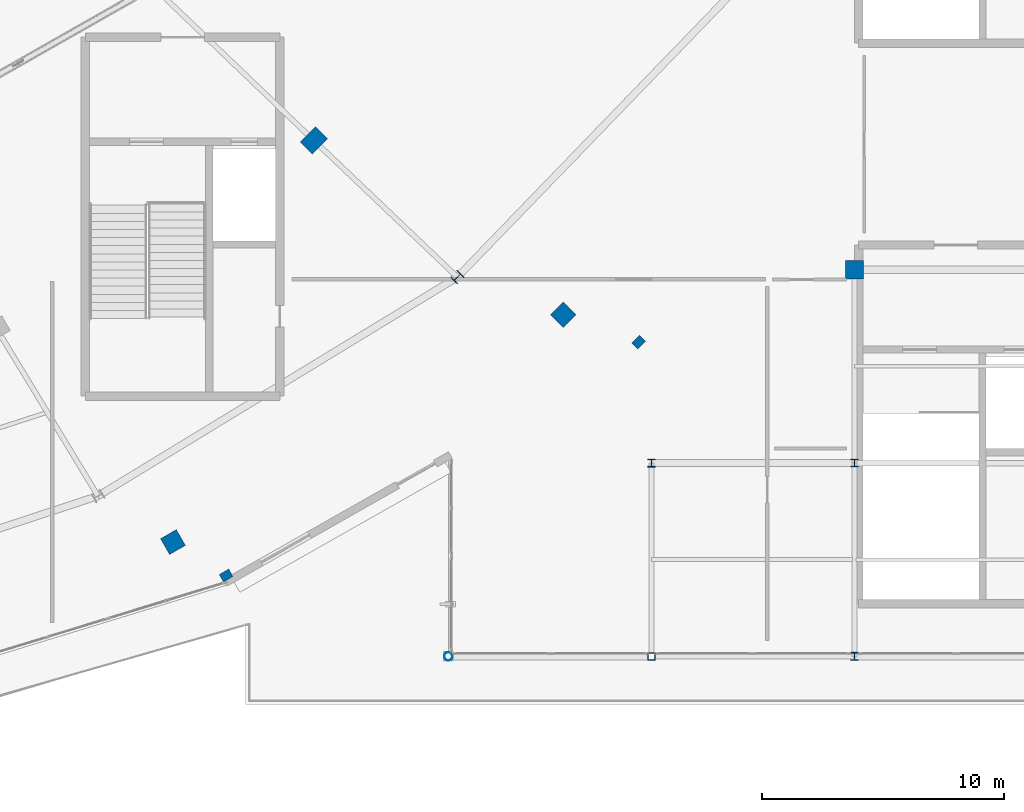
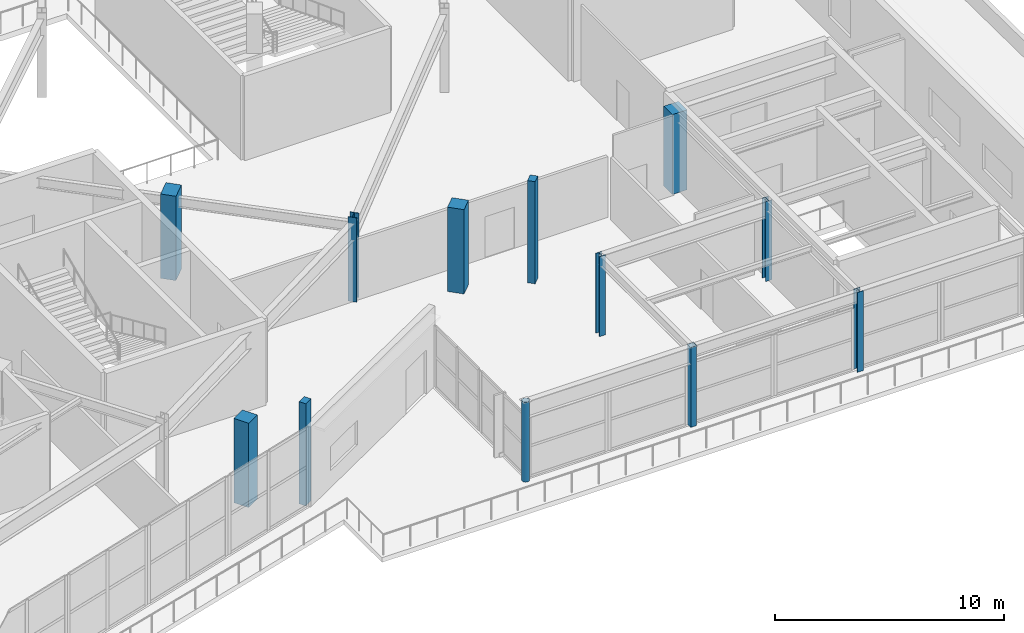
# One storey, part 12 of 123: 12 columns.
"""IFC4 building model written with IfcOpenShell, lengths in metres."""

from ifc_helpers import new_model, si_unit, direction, frame, origin, origin_2d, place, context, subcontext, project, spatial, rectangle, hollow_rectangle, hollow_circle, i_section, extrude, material, material_profile, profile_set, type_object, element, save


model = new_model("IFC4")

# Units and contexts
model_context = context("Model", 3, precision=1e-05, world=origin(), true_north=direction((0.0, 1.0)))
body_context = subcontext(model_context, "Body", "Model", "MODEL_VIEW")
ifc_project = project(units=[si_unit("LENGTHUNIT", "METRE"), si_unit("AREAUNIT", "SQUARE_METRE"), si_unit("VOLUMEUNIT", "CUBIC_METRE"), si_unit("PLANEANGLEUNIT", "RADIAN"), si_unit("MASSUNIT", "GRAM", prefix="KILO")], contexts=[model_context])

# Site, building, storey
site_placement = place(None, origin())
site = spatial("IfcSite", under=ifc_project, at=site_placement, CompositionType="ELEMENT")
building_placement = place(site_placement, origin())
building = spatial("IfcBuilding", under=site, at=building_placement, Name="Kalgoora Escarpment Arena", CompositionType="ELEMENT")
storey_placement = place(building_placement, frame((0.0, 0.0, 9.89990234375)))
storey = spatial("IfcBuildingStorey", under=building, at=storey_placement, Name="L02", CompositionType="ELEMENT", Elevation=9.89990234375)

# Columns
ifc_material_1 = material(Name="Structural steel C450 (450 MPa)", Category="steel")
ifc_material_profile_1 = material_profile(ifc_material_1, hollow_rectangle(XDim=0.300048828125, YDim=0.300048828125, WallThickness=0.012451171875, at=origin_2d()))
ifc_profile_set_1 = profile_set([ifc_material_profile_1], Name="Structural steel C450 (450 MPa)")
column_type_1 = type_object("IfcColumnType", Name="COL-COL-300x300x12.5SHS", PredefinedType="COLUMN", material=ifc_profile_set_1)
column_1_placement = place(storey_placement, frame((151.199951171875, 8.0, 0.0), z_axis=(0.0, 0.0, 1.0), x_axis=(1.0, 0.0, 0.0)))
element("IfcColumn", 1, at=column_1_placement, inside=storey, type_object=column_type_1, Name="L02 structural column COL-G19-B", PredefinedType="COLUMN", context=body_context, shape_type="SweptSolid", body=[
    extrude(hollow_rectangle(XDim=0.300048828125, YDim=0.300048828125, WallThickness=0.012451171875, at=origin_2d()), origin(), (0.0, 0.0, 1.0), 4.260009765625),
])
ifc_material_2 = material(Name="Structural steel AS/NZS 3679 (300 MPa)", Category="steel")
ifc_material_profile_2 = material_profile(ifc_material_2, i_section(OverallWidth=0.30908203125, OverallDepth=0.321044921875, WebThickness=0.013916015625, FlangeThickness=0.021728515625, at=origin_2d()))
ifc_profile_set_2 = profile_set([ifc_material_profile_2], Name="Structural steel AS/NZS 3679 (300 MPa)")
column_type_2 = type_object("IfcColumnType", Name="COL-COL-310UC137", PredefinedType="COLUMN", material=ifc_profile_set_2)
column_2_placement = place(storey_placement, frame((159.60009765625, 16.0, 0.0), z_axis=(0.0, 0.0, 1.0), x_axis=(1.0, 0.0, 0.0)))
element("IfcColumn", 2, at=column_2_placement, inside=storey, type_object=column_type_2, Name="L02 structural column COL-G20-C", PredefinedType="COLUMN", context=body_context, shape_type="SweptSolid", body=[
    extrude(i_section(OverallWidth=0.30908203125, OverallDepth=0.321044921875, WebThickness=0.013916015625, FlangeThickness=0.021728515625, at=origin_2d()), origin(), (0.0, 0.0, 1.0), 4.260009765625),
])
ifc_material_3 = material(Name="Structural steel AS/NZS 3679 (300 MPa)", Category="steel")
ifc_material_profile_3 = material_profile(ifc_material_3, i_section(OverallWidth=0.31103515625, OverallDepth=0.326904296875, WebThickness=0.015625, FlangeThickness=0.02490234375, at=origin_2d()))
ifc_profile_set_3 = profile_set([ifc_material_profile_3], Name="Structural steel AS/NZS 3679 (300 MPa)")
column_type_3 = type_object("IfcColumnType", Name="COL-COL-310UC158", PredefinedType="COLUMN", material=ifc_profile_set_3)
for number, where, z_axis, x_axis, name in (
    (3, (151.199951171875, 16.0, 0.0), (0.0, 0.0, 1.0), (1.0, 0.0, 0.0), "L02 structural column COL-G19-C"),
    (4, (159.60009765625, 8.0, 0.0), (0.0, 0.0, 1.0), (1.0, 0.0, 0.0), "L02 structural column COL-G20-B"),
):
    element("IfcColumn", number, at=place(storey_placement, frame(where, z_axis=z_axis, x_axis=x_axis)), inside=storey, type_object=column_type_3, Name=name, PredefinedType="COLUMN", context=body_context, shape_type="SweptSolid", body=[
        extrude(i_section(OverallWidth=0.31103515625, OverallDepth=0.326904296875, WebThickness=0.015625, FlangeThickness=0.02490234375, at=origin_2d()), origin(), (0.0, 0.0, 1.0), 4.260009765625),
    ])
ifc_material_4 = material(Name="Structural steel C350 (350 MPa)", Category="steel")
ifc_material_profile_4 = material_profile(ifc_material_4, hollow_circle(Radius=0.177734375, WallThickness=0.0126953125, at=origin_2d()))
ifc_profile_set_4 = profile_set([ifc_material_profile_4], Name="Structural steel C350 (350 MPa)")
column_type_4 = type_object("IfcColumnType", Name="COL-COL-355.6x12.7CHS", PredefinedType="COLUMN", material=ifc_profile_set_4)
column_3_placement = place(storey_placement, frame((142.800048828125, 8.0, 0.0), z_axis=(0.0, 0.0, 1.0), x_axis=(1.0, 0.0, 0.0)))
element("IfcColumn", 5, at=column_3_placement, inside=storey, type_object=column_type_4, Name="L02 structural column COL-G18-B", PredefinedType="COLUMN", context=body_context, shape_type="SweptSolid", body=[
    extrude(hollow_circle(Radius=0.177734375, WallThickness=0.0126953125, at=origin_2d()), origin(), (0.0, 0.0, 1.0), 4.260009765625),
])
ifc_material_5 = material(Name="Structural steel Grade 350 (350 MPa)", Category="steel")
ifc_material_profile_5 = material_profile(ifc_material_5, i_section(OverallWidth=0.39990234375, OverallDepth=0.39990234375, WebThickness=0.01611328125, FlangeThickness=0.028076171875, at=origin_2d()))
ifc_profile_set_5 = profile_set([ifc_material_profile_5], Name="Structural steel Grade 350 (350 MPa)")
column_type_5 = type_object("IfcColumnType", Name="COL-COL-400WC212", PredefinedType="COLUMN", material=ifc_profile_set_5)
column_4_placement = place(storey_placement, frame((143.17041015625, 23.69482421875, 0.0), z_axis=(0.0, 0.0, 1.0), x_axis=(0.707106781187, -0.707106781187, 0.0)))
element("IfcColumn", 6, at=column_4_placement, inside=storey, type_object=column_type_5, Name="L02 structural column COL-RCONC2-R22", PredefinedType="COLUMN", context=body_context, shape_type="SweptSolid", body=[
    extrude(i_section(OverallWidth=0.39990234375, OverallDepth=0.39990234375, WebThickness=0.01611328125, FlangeThickness=0.028076171875, at=origin_2d()), origin(), (0.0, 0.0, 1.0), 4.5),
])
ifc_material_6 = material(Name="Concrete N50 (fc' 50 MPa)", Category="concrete")
ifc_material_profile_6 = material_profile(ifc_material_6, rectangle(XDim=0.75, YDim=0.75, at=origin_2d()))
ifc_profile_set_6 = profile_set([ifc_material_profile_6], Name="Concrete N50 (fc' 50 MPa)")
column_type_6 = type_object("IfcColumnType", Name="COL-COL-RC750x750", PredefinedType="COLUMN", material=ifc_profile_set_6)
for number, where, z_axis, x_axis, name in (
    (7, (131.39990234375, 12.731201171875, 0.0), (0.0, 0.0, 1.0), (0.5, -0.866025403784, 0.0), "L02 structural column COL-RBASE1-R21"),
    (8, (147.55419921875, 22.139404296875, 0.0), (0.0, 0.0, 1.0), (0.707106781187, -0.707106781187, 0.0), "L02 structural column COL-RBASE1-R22"),
):
    element("IfcColumn", number, at=place(storey_placement, frame(where, z_axis=z_axis, x_axis=x_axis)), inside=storey, type_object=column_type_6, Name=name, PredefinedType="COLUMN", context=body_context, shape_type="SweptSolid", body=[
        extrude(rectangle(XDim=0.75, YDim=0.75, at=origin_2d()), origin(), (0.0, 0.0, 1.0), 4.5),
    ])
column_5_placement = place(storey_placement, frame((159.60009765625, 24.0, 0.0), z_axis=(0.0, 0.0, 1.0), x_axis=(1.0, 0.0, 0.0)))
element("IfcColumn", 9, at=column_5_placement, inside=storey, type_object=column_type_6, Name="L02 structural column COL-G20-D", PredefinedType="COLUMN", context=body_context, shape_type="SweptSolid", body=[
    extrude(rectangle(XDim=0.75, YDim=0.75, at=origin_2d()), origin(), (0.0, 0.0, 1.0), 4.260009765625),
])
ifc_material_7 = material(Name="Concrete N50 (fc' 50 MPa)", Category="concrete")
ifc_material_profile_7 = material_profile(ifc_material_7, rectangle(XDim=0.699951171875, YDim=0.89990234375, at=origin_2d()))
ifc_profile_set_7 = profile_set([ifc_material_profile_7], Name="Concrete N50 (fc' 50 MPa)")
column_type_7 = type_object("IfcColumnType", Name="COL-COL-RC900x700", PredefinedType="COLUMN", material=ifc_profile_set_7)
column_6_placement = place(storey_placement, frame((137.230712890625, 29.351806640625, 0.0), z_axis=(0.0, 0.0, 1.0), x_axis=(0.707106781187, -0.707106781187, 0.0)))
element("IfcColumn", 10, at=column_6_placement, inside=storey, type_object=column_type_7, Name="L02 structural column COL-RCONC1-R22", PredefinedType="COLUMN", context=body_context, shape_type="SweptSolid", body=[
    extrude(rectangle(XDim=0.699951171875, YDim=0.89990234375, at=origin_2d()), origin(), (0.0, 0.0, 1.0), 4.5),
])
ifc_material_8 = material(Name="Precast concrete N50 (fc' 50 MPa)", Category="concrete")
ifc_material_profile_8 = material_profile(ifc_material_8, rectangle(XDim=0.35009765625, YDim=0.449951171875, at=origin_2d()))
ifc_profile_set_8 = profile_set([ifc_material_profile_8], Name="Precast concrete N50 (fc' 50 MPa)")
column_type_8 = type_object("IfcColumnType", Name="COL-PIL-PC-PILASTER-450x350", PredefinedType="PILASTER", material=ifc_profile_set_8)
for number, where, z_axis, x_axis, name in (
    (11, (133.60009765625, 11.345947265625, 0.0), (0.0, 0.0, 1.0), (0.5, -0.866025403784, 0.0), "L02 fluted pilaster PIL-066"),
    (12, (150.666015625, 21.008056640625, 0.0), (0.0, 0.0, 1.0), (0.707106781187, -0.707106781187, 0.0), "L02 fluted pilaster PIL-067"),
):
    element("IfcColumn", number, at=place(storey_placement, frame(where, z_axis=z_axis, x_axis=x_axis)), inside=storey, type_object=column_type_8, Name=name, PredefinedType="PILASTER", context=body_context, shape_type="SweptSolid", body=[
        extrude(rectangle(XDim=0.35009765625, YDim=0.449951171875, at=origin_2d()), origin(), (0.0, 0.0, 1.0), 5.4501953125),
    ])

save(model, "model.ifc")
